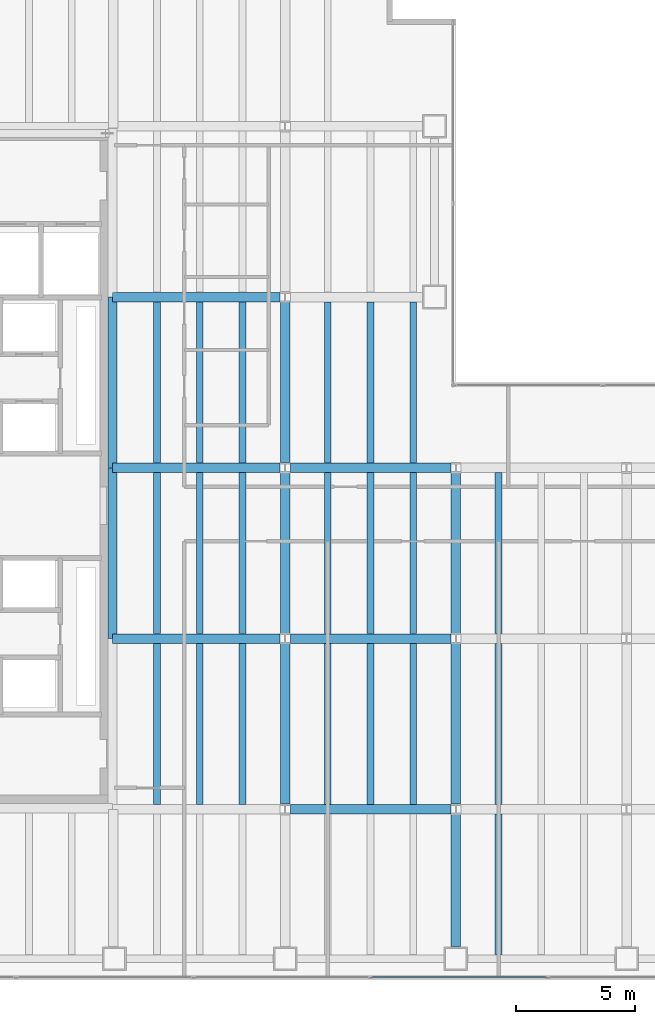
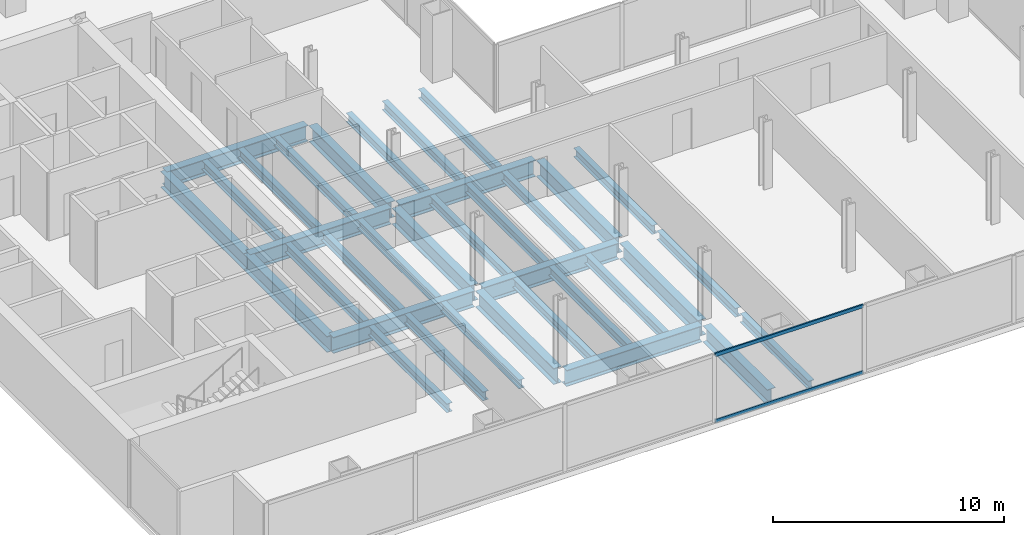
# One storey, part 5 of 23: 35 beams, 2 members, 1 element without a shape of its own.
"""IFC4 building model written with IfcOpenShell, lengths in metres."""

import ifcopenshell
import ifcopenshell.guid

model = None  # the IFC model being written
_history = None  # IfcOwnerHistory: only IFC2X3 demands one
_inside = {}  # id of a spatial element -> (the spatial element, [elements in it])
_under = {}  # id of a project, library or spatial element -> (it, [spatial elements below it])
_declared = {}  # id of a project -> (the project, [libraries it declares])
_typed = {}  # id of a type object -> (the type object, [elements of that type])
_made_of = {}  # id of a material, layer set ... -> (it, [elements and type objects made of it])


def new_model(schema):
    """Start an empty IFC model of exactly this schema.

    Asked for "IFC4X3", IfcOpenShell would pick the latest addendum, in which some entities
    have other attributes; the version numbers below select the first issue.
    IFC2X3 requires an IfcOwnerHistory on every rooted entity: one is made here for all.
    """
    global model, _history
    if schema == "IFC4X3":
        model = ifcopenshell.file(schema_version=(4, 3, 0, 0))
    else:
        model = ifcopenshell.file(schema=schema)
    _inside.clear()
    _under.clear()
    _declared.clear()
    _typed.clear()
    _made_of.clear()
    _history = None
    if model.schema == "IFC2X3":
        org = make("IfcOrganization", Name="unknown")
        user = make(
            "IfcPersonAndOrganization",
            ThePerson=make("IfcPerson", FamilyName="unknown"),
            TheOrganization=org,
        )
        app = make(
            "IfcApplication",
            ApplicationDeveloper=org,
            Version="unknown",
            ApplicationFullName="unknown",
            ApplicationIdentifier="unknown",
        )
        _history = make(
            "IfcOwnerHistory",
            OwningUser=user,
            OwningApplication=app,
            ChangeAction="ADDED",
            CreationDate=0,
        )
    return model


def make(cls, **values):
    """One entity of the class cls with the attributes given. An attribute that is None is left unset."""
    return model.create_entity(
        cls, **{name: value for name, value in values.items() if value is not None}
    )


def rooted(cls, **values):
    """An entity with a GlobalId (a new one), such as an element, a storey or a relation."""
    return make(cls, GlobalId=ifcopenshell.guid.new(), OwnerHistory=_history, **values)


def si_unit(unit_type, name, prefix=None):
    """IfcSIUnit, for example si_unit("LENGTHUNIT", "METRE", prefix="MILLI")."""
    return make("IfcSIUnit", UnitType=unit_type, Prefix=prefix, Name=name)


def assignment(units):
    """IfcUnitAssignment: the units of a project."""
    return None if units is None else make("IfcUnitAssignment", Units=units)


def point(xyz):
    """IfcCartesianPoint."""
    return None if xyz is None else make("IfcCartesianPoint", Coordinates=xyz)


def direction(xyz):
    """IfcDirection."""
    return None if xyz is None else make("IfcDirection", DirectionRatios=xyz)


def frame(location, z_axis=None, x_axis=None):
    """IfcAxis2Placement3D, a coordinate frame: its origin and axes. An axis left out is left unset."""
    return make(
        "IfcAxis2Placement3D",
        Location=point(location),
        Axis=direction(z_axis),
        RefDirection=direction(x_axis),
    )


def frame_2d(location, x_axis=None):
    """IfcAxis2Placement2D, a coordinate frame in the plane: its origin and x axis."""
    return make(
        "IfcAxis2Placement2D", Location=point(location), RefDirection=direction(x_axis)
    )


def origin():
    """The frame at (0, 0, 0) with its axes left unset."""
    return frame((0.0, 0.0, 0.0))


def origin_2d():
    """The frame at (0, 0) in the plane with its x axis left unset."""
    return frame_2d((0.0, 0.0))


def place(relative_to, where):
    """IfcLocalPlacement: puts the frame where relative to a parent placement (None: the world)."""
    return make(
        "IfcLocalPlacement", PlacementRelTo=relative_to, RelativePlacement=where
    )


def context(
    kind, dimensions, precision=None, world=None, true_north=None, identifier=None
):
    """IfcGeometricRepresentationContext, for example the 3D "Model" context."""
    return make(
        "IfcGeometricRepresentationContext",
        ContextIdentifier=identifier,
        ContextType=kind,
        CoordinateSpaceDimension=dimensions,
        Precision=precision,
        WorldCoordinateSystem=world,
        TrueNorth=true_north,
    )


def subcontext(parent, identifier, kind, view, scale=None):
    """IfcGeometricRepresentationSubContext, for example "Body" below "Model"."""
    return make(
        "IfcGeometricRepresentationSubContext",
        ContextIdentifier=identifier,
        ContextType=kind,
        ParentContext=parent,
        TargetScale=scale,
        TargetView=view,
    )


def project(units=None, contexts=None):
    """IfcProject with its units and contexts."""
    return rooted(
        "IfcProject",
        Name="project",
        RepresentationContexts=contexts,
        UnitsInContext=assignment(units),
    )


def spatial(cls, under=None, at=None, **own):
    """A site, building, storey or space (cls), placed at a placement, below another one or the project."""
    s = rooted(cls, ObjectPlacement=at, **own)
    if under is not None:
        _under.setdefault(under.id(), (under, []))[1].append(s)
    return s


def profile(cls, at=None, kind="AREA", **sizes):
    """A parametric profile (cls). Its sizes go by their IFC names, for example OverallWidth=200.0."""
    return make(cls, ProfileType=kind, Position=at, **sizes)


def hollow_rectangle(**sizes):
    """IfcRectangleHollowProfileDef."""
    return profile("IfcRectangleHollowProfileDef", **sizes)


def i_section(**sizes):
    """IfcIShapeProfileDef."""
    return profile("IfcIShapeProfileDef", **sizes)


def extrude(swept, where, along, depth):
    """IfcExtrudedAreaSolid: the profile swept, set in the frame where, extruded along a direction by depth."""
    return make(
        "IfcExtrudedAreaSolid",
        SweptArea=swept,
        Position=where,
        ExtrudedDirection=direction(along),
        Depth=depth,
    )


def shape(context_of_items, identifier, shape_type, items):
    """IfcShapeRepresentation: the items that make up one representation, for example the "Body"."""
    return make(
        "IfcShapeRepresentation",
        ContextOfItems=context_of_items,
        RepresentationIdentifier=identifier,
        RepresentationType=shape_type,
        Items=items,
    )


def material(Name=None, Category=None):
    """IfcMaterial."""
    return make("IfcMaterial", Name=Name, Category=Category)


def material_profile(
    of_material, cross_section, Name=None, Category=None, Priority=None
):
    """IfcMaterialProfile: a cross section and its material."""
    return make(
        "IfcMaterialProfile",
        Name=Name,
        Material=of_material,
        Profile=cross_section,
        Priority=Priority,
        Category=Category,
    )


def profile_set(profiles, Name=None, composite=None):
    """IfcMaterialProfileSet."""
    return make(
        "IfcMaterialProfileSet",
        Name=Name,
        MaterialProfiles=profiles,
        CompositeProfile=composite,
    )


def made_of(thing, what):
    """Note that an element or type object is made of a material, layer set ...; save() writes the relation."""
    if what is not None:
        _made_of.setdefault(what.id(), (what, []))[1].append(thing)
    return thing


def type_object(cls, material=None, **own):
    """A type object (cls), such as IfcWallType, which elements share."""
    return made_of(rooted(cls, **own), material)


def element(
    cls,
    number,
    at=None,
    inside=None,
    cuts=None,
    type_object=None,
    material=None,
    context=None,
    identifier="Body",
    shape_type=None,
    held_by="IfcProductDefinitionShape",
    body=None,
    shapes=None,
    **own,
):
    """One element of the class cls, such as IfcWall. Its Tag is "e" and its number.

    at: its placement. inside: the storey or other place that contains it. cuts: it is an
    opening in that element (IfcRelVoidsElement). A single representation is given by context,
    identifier, shape_type and body (its items); several are given by shapes. held_by: the class
    of the entity that holds the representations. save() writes the other relations.
    """
    e = rooted(cls, Tag="e%d" % number, ObjectPlacement=at, **own)
    if body is not None:
        shapes = [shape(context, identifier, shape_type, body)]
    if shapes is not None:
        e.Representation = make(held_by, Representations=shapes)
    if inside is not None:
        _inside.setdefault(inside.id(), (inside, []))[1].append(e)
    if cuts is not None:
        rooted(
            "IfcRelVoidsElement", RelatingBuildingElement=cuts, RelatedOpeningElement=e
        )
    if type_object is not None:
        _typed.setdefault(type_object.id(), (type_object, []))[1].append(e)
    return made_of(e, material)


def aggregate(whole, parts):
    """IfcRelAggregates: a whole, such as a stair, and the parts it consists of."""
    return rooted("IfcRelAggregates", RelatingObject=whole, RelatedObjects=parts)


def save(model, path):
    """Write the relations noted so far, then the file.

    IfcRelAggregates (storeys below a building ...), IfcRelContainedInSpatialStructure (elements
    in a storey), IfcRelDefinesByType, IfcRelAssociatesMaterial and IfcRelDeclares: one each for
    every whole, place, type object, material and project.
    """
    for whole, parts in _under.values():
        aggregate(whole, parts)
    for where, things in _inside.values():
        rooted(
            "IfcRelContainedInSpatialStructure",
            RelatedElements=things,
            RelatingStructure=where,
        )
    for kind, things in _typed.values():
        rooted("IfcRelDefinesByType", RelatedObjects=things, RelatingType=kind)
    for what, things in _made_of.values():
        rooted("IfcRelAssociatesMaterial", RelatedObjects=things, RelatingMaterial=what)
    for by, libraries in _declared.values():
        rooted("IfcRelDeclares", RelatingContext=by, RelatedDefinitions=libraries)
    model.write(path)


model = new_model("IFC4")

# Units and contexts
model_context = context("Model", 3, precision=1e-05, world=origin(), true_north=direction((0.0, 1.0)))
body_context = subcontext(model_context, "Body", "Model", "MODEL_VIEW")
ifc_project = project(units=[si_unit("LENGTHUNIT", "METRE"), si_unit("AREAUNIT", "SQUARE_METRE"), si_unit("VOLUMEUNIT", "CUBIC_METRE"), si_unit("PLANEANGLEUNIT", "RADIAN"), si_unit("MASSUNIT", "GRAM", prefix="KILO")], contexts=[model_context])

# Site, building, storey
site_placement = place(None, origin())
site = spatial("IfcSite", under=ifc_project, at=site_placement, CompositionType="ELEMENT")
building_placement = place(site_placement, origin())
building = spatial("IfcBuilding", under=site, at=building_placement, Name="Cobrela Telecom Tower", CompositionType="ELEMENT")
storey_placement = place(building_placement, frame((0.0, 0.0, 54.25)))
storey = spatial("IfcBuildingStorey", under=building, at=storey_placement, Name="L13", CompositionType="ELEMENT", Elevation=54.25)

# Beams
ifc_material_1 = material(Name="Steel ASTM A992 Grade 50", Category="steel")
ifc_material_profile_1 = material_profile(ifc_material_1, i_section(OverallWidth=0.39892578125, OverallDepth=0.85595703125, WebThickness=0.018310546875, FlangeThickness=0.029296875, FilletRadius=0.02001953125, at=origin_2d()), Name="W33X201")
ifc_profile_set_1 = profile_set([ifc_material_profile_1], Name="Steel ASTM A992 Grade 50")
beam_type_1 = type_object("IfcBeamType", Name="BM-GIRD-03", PredefinedType="USERDEFINED", material=ifc_profile_set_1)
beam_1_placement = place(storey_placement, frame((21.81591796875, 7.199951171875, -0.7080078125), z_axis=(1.0, 0.0, 0.0), x_axis=(0.0, 1.0, 0.0)))
element("IfcBeam", 1, at=beam_1_placement, inside=storey, type_object=beam_type_1, Name="L13 Primary Girder X09", ObjectType="GIRDER", PredefinedType="USERDEFINED", context=body_context, shape_type="SweptSolid", body=[
    extrude(i_section(OverallWidth=0.39892578125, OverallDepth=0.85595703125, WebThickness=0.018310546875, FlangeThickness=0.029296875, FilletRadius=0.02001953125, at=origin_2d()), origin(), (0.0, 0.0, 1.0), 6.76806640625),
])
beam_2_placement = place(storey_placement, frame((14.324951171875, 14.39990234375, -0.7080078125), z_axis=(1.0, 0.0, 0.0), x_axis=(0.0, 1.0, 0.0)))
element("IfcBeam", 2, at=beam_2_placement, inside=storey, type_object=beam_type_1, Name="L13 Primary Girder X13", ObjectType="GIRDER", PredefinedType="USERDEFINED", context=body_context, shape_type="SweptSolid", body=[
    extrude(i_section(OverallWidth=0.39892578125, OverallDepth=0.85595703125, WebThickness=0.018310546875, FlangeThickness=0.029296875, FilletRadius=0.02001953125, at=origin_2d()), origin(), (0.0, 0.0, 1.0), 7.05908203125),
])
beam_3_placement = place(storey_placement, frame((21.81591796875, 14.39990234375, -0.7080078125), z_axis=(1.0, 0.0, 0.0), x_axis=(0.0, 1.0, 0.0)))
element("IfcBeam", 3, at=beam_3_placement, inside=storey, type_object=beam_type_1, Name="L13 Primary Girder X14", ObjectType="GIRDER", PredefinedType="USERDEFINED", context=body_context, shape_type="SweptSolid", body=[
    extrude(i_section(OverallWidth=0.39892578125, OverallDepth=0.85595703125, WebThickness=0.018310546875, FlangeThickness=0.029296875, FilletRadius=0.02001953125, at=origin_2d()), origin(), (0.0, 0.0, 1.0), 6.76806640625),
])
beam_4_placement = place(storey_placement, frame((14.324951171875, 21.60009765625, -0.7080078125), z_axis=(1.0, 0.0, 0.0), x_axis=(0.0, 1.0, 0.0)))
element("IfcBeam", 4, at=beam_4_placement, inside=storey, type_object=beam_type_1, Name="L13 Primary Girder X18", ObjectType="GIRDER", PredefinedType="USERDEFINED", context=body_context, shape_type="SweptSolid", body=[
    extrude(i_section(OverallWidth=0.39892578125, OverallDepth=0.85595703125, WebThickness=0.018310546875, FlangeThickness=0.029296875, FilletRadius=0.02001953125, at=origin_2d()), origin(), (0.0, 0.0, 1.0), 7.05908203125),
])
beam_5_placement = place(storey_placement, frame((21.81591796875, 21.60009765625, -0.7080078125), z_axis=(1.0, 0.0, 0.0), x_axis=(0.0, 1.0, 0.0)))
element("IfcBeam", 5, at=beam_5_placement, inside=storey, type_object=beam_type_1, Name="L13 Primary Girder X19", ObjectType="GIRDER", PredefinedType="USERDEFINED", context=body_context, shape_type="SweptSolid", body=[
    extrude(i_section(OverallWidth=0.39892578125, OverallDepth=0.85595703125, WebThickness=0.018310546875, FlangeThickness=0.029296875, FilletRadius=0.02001953125, at=origin_2d()), origin(), (0.0, 0.0, 1.0), 6.76806640625),
])
beam_6_placement = place(storey_placement, frame((14.324951171875, 28.800048828125, -0.7080078125), z_axis=(1.0, 0.0, 0.0), x_axis=(0.0, 1.0, 0.0)))
element("IfcBeam", 6, at=beam_6_placement, inside=storey, type_object=beam_type_1, Name="L13 Primary Girder X23", ObjectType="GIRDER", PredefinedType="USERDEFINED", context=body_context, shape_type="SweptSolid", body=[
    extrude(i_section(OverallWidth=0.39892578125, OverallDepth=0.85595703125, WebThickness=0.018310546875, FlangeThickness=0.029296875, FilletRadius=0.02001953125, at=origin_2d()), origin(), (0.0, 0.0, 1.0), 7.05908203125),
])
for number, where, z_axis, x_axis, name in (
    (7, (14.320068359375, 14.405029296875, -0.7080078125), (0.0, 1.0, 0.0), (-1.0, 0.0, 0.0), "L13 Primary Girder Y36"),
    (8, (14.320068359375, 21.60498046875, -0.7080078125), (0.0, 1.0, 0.0), (-1.0, 0.0, 0.0), "L13 Primary Girder Y37"),
):
    element("IfcBeam", number, at=place(storey_placement, frame(where, z_axis=z_axis, x_axis=x_axis)), inside=storey, type_object=beam_type_1, Name=name, ObjectType="GIRDER", PredefinedType="USERDEFINED", context=body_context, shape_type="SweptSolid", body=[
        extrude(i_section(OverallWidth=0.39892578125, OverallDepth=0.85595703125, WebThickness=0.018310546875, FlangeThickness=0.029296875, FilletRadius=0.02001953125, at=origin_2d()), origin(), (0.0, 0.0, 1.0), 7.18994140625),
    ])
for number, where, z_axis, x_axis, name in (
    (9, (21.60009765625, 7.416015625, -0.7080078125), (0.0, 1.0, 0.0), (-1.0, 0.0, 0.0), "L13 Primary Girder Y41"),
    (10, (21.60009765625, 14.615966796875, -0.7080078125), (0.0, 1.0, 0.0), (-1.0, 0.0, 0.0), "L13 Primary Girder Y42"),
    (11, (21.60009765625, 21.81591796875, -0.7080078125), (0.0, 1.0, 0.0), (-1.0, 0.0, 0.0), "L13 Primary Girder Y43"),
):
    element("IfcBeam", number, at=place(storey_placement, frame(where, z_axis=z_axis, x_axis=x_axis)), inside=storey, type_object=beam_type_1, Name=name, ObjectType="GIRDER", PredefinedType="USERDEFINED", context=body_context, shape_type="SweptSolid", body=[
        extrude(i_section(OverallWidth=0.39892578125, OverallDepth=0.85595703125, WebThickness=0.018310546875, FlangeThickness=0.029296875, FilletRadius=0.02001953125, at=origin_2d()), origin(), (0.0, 0.0, 1.0), 6.76806640625),
    ])
beam_7_placement = place(storey_placement, frame((28.800048828125, 1.405029296875, -0.7080078125), z_axis=(0.0, 1.0, 0.0), x_axis=(-1.0, 0.0, 0.0)))
element("IfcBeam", 12, at=beam_7_placement, inside=storey, type_object=beam_type_1, Name="L13 Primary Girder Y47", ObjectType="GIRDER", PredefinedType="USERDEFINED", context=body_context, shape_type="SweptSolid", body=[
    extrude(i_section(OverallWidth=0.39892578125, OverallDepth=0.85595703125, WebThickness=0.018310546875, FlangeThickness=0.029296875, FilletRadius=0.02001953125, at=origin_2d()), origin(), (0.0, 0.0, 1.0), 5.578857421875),
])
for number, where, z_axis, x_axis, name in (
    (13, (28.800048828125, 7.416015625, -0.7080078125), (0.0, 1.0, 0.0), (-1.0, 0.0, 0.0), "L13 Primary Girder Y48"),
    (14, (28.800048828125, 14.615966796875, -0.7080078125), (0.0, 1.0, 0.0), (-1.0, 0.0, 0.0), "L13 Primary Girder Y49"),
):
    element("IfcBeam", number, at=place(storey_placement, frame(where, z_axis=z_axis, x_axis=x_axis)), inside=storey, type_object=beam_type_1, Name=name, ObjectType="GIRDER", PredefinedType="USERDEFINED", context=body_context, shape_type="SweptSolid", body=[
        extrude(i_section(OverallWidth=0.39892578125, OverallDepth=0.85595703125, WebThickness=0.018310546875, FlangeThickness=0.029296875, FilletRadius=0.02001953125, at=origin_2d()), origin(), (0.0, 0.0, 1.0), 6.76806640625),
    ])
ifc_material_profile_2 = material_profile(ifc_material_1, i_section(OverallWidth=0.281982421875, OverallDepth=0.467041015625, WebThickness=0.01220703125, FlangeThickness=0.01953125, FilletRadius=0.012939453125, at=origin_2d()), Name="W18X86")
ifc_profile_set_2 = profile_set([ifc_material_profile_2], Name="Steel ASTM A992 Grade 50")
beam_type_2 = type_object("IfcBeamType", Name="BM-JOIST-02", PredefinedType="JOIST", material=ifc_profile_set_2)
for number, where, z_axis, x_axis, name in (
    (15, (16.199951171875, 7.404541015625, -0.513427734375), (0.0, 1.0, 0.0), (-1.0, 0.0, 0.0), "L13 Secondary Composite Floor Beam J08"),
    (16, (16.199951171875, 14.6044921875, -0.513427734375), (0.0, 1.0, 0.0), (-1.0, 0.0, 0.0), "L13 Secondary Composite Floor Beam J09"),
    (17, (16.199951171875, 21.804443359375, -0.513427734375), (0.0, 1.0, 0.0), (-1.0, 0.0, 0.0), "L13 Secondary Composite Floor Beam J10"),
    (18, (18.0, 7.404541015625, -0.513427734375), (0.0, 1.0, 0.0), (-1.0, 0.0, 0.0), "L13 Secondary Composite Floor Beam J14"),
    (19, (18.0, 14.6044921875, -0.513427734375), (0.0, 1.0, 0.0), (-1.0, 0.0, 0.0), "L13 Secondary Composite Floor Beam J15"),
    (20, (18.0, 21.804443359375, -0.513427734375), (0.0, 1.0, 0.0), (-1.0, 0.0, 0.0), "L13 Secondary Composite Floor Beam J16"),
    (21, (19.800048828125, 7.404541015625, -0.513427734375), (0.0, 1.0, 0.0), (-1.0, 0.0, 0.0), "L13 Secondary Composite Floor Beam J20"),
    (22, (19.800048828125, 14.6044921875, -0.513427734375), (0.0, 1.0, 0.0), (-1.0, 0.0, 0.0), "L13 Secondary Composite Floor Beam J21"),
    (23, (19.800048828125, 21.804443359375, -0.513427734375), (0.0, 1.0, 0.0), (-1.0, 0.0, 0.0), "L13 Secondary Composite Floor Beam J22"),
    (24, (23.39990234375, 7.404541015625, -0.513427734375), (0.0, 1.0, 0.0), (-1.0, 0.0, 0.0), "L13 Secondary Composite Floor Beam J26"),
    (25, (23.39990234375, 14.6044921875, -0.513427734375), (0.0, 1.0, 0.0), (-1.0, 0.0, 0.0), "L13 Secondary Composite Floor Beam J27"),
    (26, (23.39990234375, 21.804443359375, -0.513427734375), (0.0, 1.0, 0.0), (-1.0, 0.0, 0.0), "L13 Secondary Composite Floor Beam J28"),
    (27, (25.199951171875, 7.404541015625, -0.513427734375), (0.0, 1.0, 0.0), (-1.0, 0.0, 0.0), "L13 Secondary Composite Floor Beam J32"),
    (28, (25.199951171875, 14.6044921875, -0.513427734375), (0.0, 1.0, 0.0), (-1.0, 0.0, 0.0), "L13 Secondary Composite Floor Beam J33"),
    (29, (25.199951171875, 21.804443359375, -0.513427734375), (0.0, 1.0, 0.0), (-1.0, 0.0, 0.0), "L13 Secondary Composite Floor Beam J34"),
    (30, (27.0, 7.404541015625, -0.513427734375), (0.0, 1.0, 0.0), (-1.0, 0.0, 0.0), "L13 Secondary Composite Floor Beam J37"),
    (31, (27.0, 14.6044921875, -0.513427734375), (0.0, 1.0, 0.0), (-1.0, 0.0, 0.0), "L13 Secondary Composite Floor Beam J38"),
    (32, (27.0, 21.804443359375, -0.513427734375), (0.0, 1.0, 0.0), (-1.0, 0.0, 0.0), "L13 Secondary Composite Floor Beam J39"),
):
    element("IfcBeam", number, at=place(storey_placement, frame(where, z_axis=z_axis, x_axis=x_axis)), inside=storey, type_object=beam_type_2, Name=name, PredefinedType="JOIST", context=body_context, shape_type="SweptSolid", body=[
        extrude(i_section(OverallWidth=0.281982421875, OverallDepth=0.467041015625, WebThickness=0.01220703125, FlangeThickness=0.01953125, FilletRadius=0.012939453125, at=origin_2d()), origin(), (0.0, 0.0, 1.0), 6.791015625),
    ])
beam_8_placement = place(storey_placement, frame((30.60009765625, 1.0673828125, -0.513427734375), z_axis=(0.0, 1.0, 0.0), x_axis=(-1.0, 0.0, 0.0)))
element("IfcBeam", 33, at=beam_8_placement, inside=storey, type_object=beam_type_2, Name="L13 Secondary Composite Floor Beam J41", PredefinedType="JOIST", context=body_context, shape_type="SweptSolid", body=[
    extrude(i_section(OverallWidth=0.281982421875, OverallDepth=0.467041015625, WebThickness=0.01220703125, FlangeThickness=0.01953125, FilletRadius=0.012939453125, at=origin_2d()), origin(), (0.0, 0.0, 1.0), 5.92822265625),
])
for number, where, z_axis, x_axis, name in (
    (34, (30.60009765625, 7.404541015625, -0.513427734375), (0.0, 1.0, 0.0), (-1.0, 0.0, 0.0), "L13 Secondary Composite Floor Beam J42"),
    (35, (30.60009765625, 14.6044921875, -0.513427734375), (0.0, 1.0, 0.0), (-1.0, 0.0, 0.0), "L13 Secondary Composite Floor Beam J43"),
):
    element("IfcBeam", number, at=place(storey_placement, frame(where, z_axis=z_axis, x_axis=x_axis)), inside=storey, type_object=beam_type_2, Name=name, PredefinedType="JOIST", context=body_context, shape_type="SweptSolid", body=[
        extrude(i_section(OverallWidth=0.281982421875, OverallDepth=0.467041015625, WebThickness=0.01220703125, FlangeThickness=0.01953125, FilletRadius=0.012939453125, at=origin_2d()), origin(), (0.0, 0.0, 1.0), 6.791015625),
    ])

# Curtain wall, members
ifc_material_2 = material(Name="Anodized Bronze Aluminium 6063-T6", Category="aluminium")
curtain_wall_type = type_object("IfcCurtainWallType", Name="CW-SYS-DATA", PredefinedType="USERDEFINED", material=ifc_material_2)
curtain_wall_placement = place(storey_placement, origin())
curtain_wall = element("IfcCurtainWall", 36, at=curtain_wall_placement, inside=storey, type_object=curtain_wall_type, Name="L13 Unitised Bronze Curtain Wall 17", ObjectType="UNITISED CURTAIN WALL", PredefinedType="USERDEFINED")
ifc_material_profile_3 = material_profile(ifc_material_2, hollow_rectangle(XDim=0.074951171875, YDim=0.179931640625, WallThickness=0.00390625, at=origin_2d()), Name="ALU 75x180x4")
ifc_profile_set_3 = profile_set([ifc_material_profile_3], Name="Anodized Bronze Aluminium 6063-T6")
member_type = type_object("IfcMemberType", Name="CW-SYS-DATA-TRN", PredefinedType="USERDEFINED", material=ifc_profile_set_3)
member_1_placement = place(storey_placement, frame((32.6298828125, 0.1201171875, 0.03759765625), z_axis=(-1.0, 0.0, 0.0), x_axis=(0.0, -1.0, 0.0)))
member_1 = element("IfcMember", 37, at=member_1_placement, type_object=member_type, Name="CW-DATA transom 3.1", ObjectType="TRANSOM", PredefinedType="USERDEFINED", context=body_context, shape_type="SweptSolid", body=[
    extrude(hollow_rectangle(XDim=0.074951171875, YDim=0.179931640625, WallThickness=0.00390625, at=origin_2d()), origin(), (0.0, 0.0, 1.0), 7.389892578125),
])
member_2_placement = place(storey_placement, frame((32.6298828125, 0.1201171875, 3.532470703125), z_axis=(-1.0, 0.0, 0.0), x_axis=(0.0, -1.0, 0.0)))
member_2 = element("IfcMember", 38, at=member_2_placement, type_object=member_type, Name="CW-DATA transom 3.2", ObjectType="TRANSOM", PredefinedType="USERDEFINED", context=body_context, shape_type="SweptSolid", body=[
    extrude(hollow_rectangle(XDim=0.074951171875, YDim=0.179931640625, WallThickness=0.00390625, at=origin_2d()), origin(), (0.0, 0.0, 1.0), 7.389892578125),
])
aggregate(curtain_wall, [member_1, member_2])

save(model, "model.ifc")
